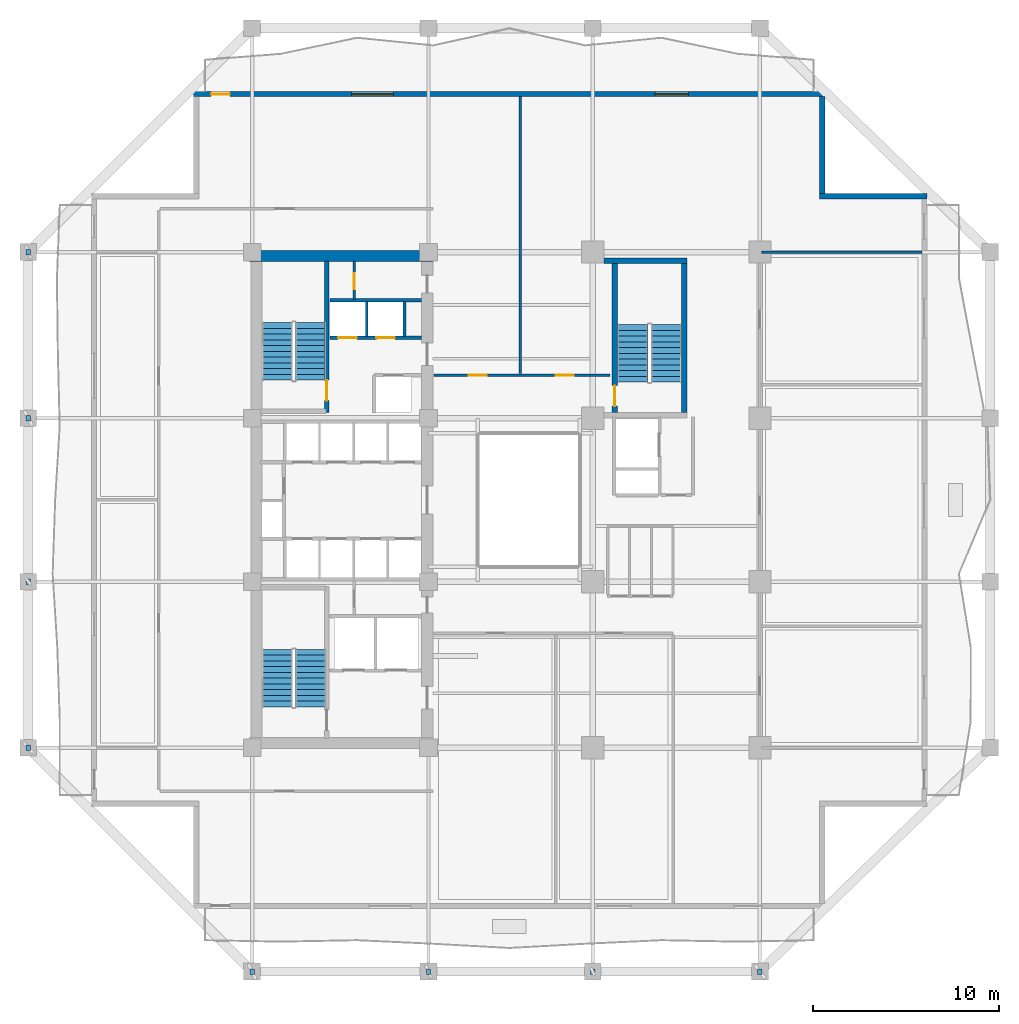
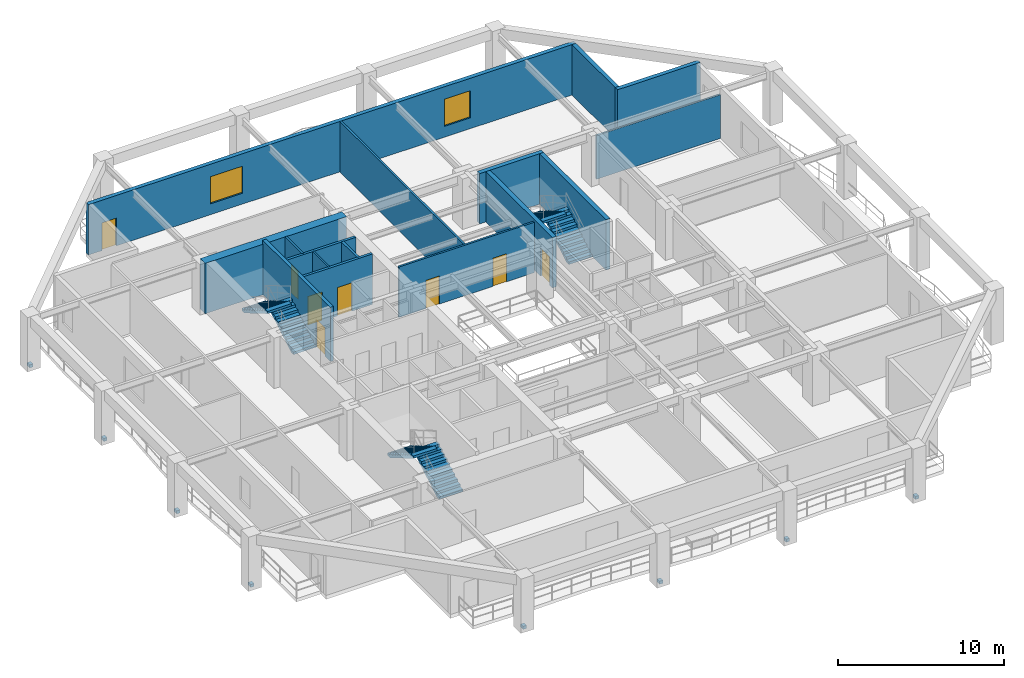
# One storey, part 5 of 12: 16 walls, 8 discrete accessories, 8 doors, 6 stair flights, 2 windows, 10 openings, 3 elements without a shape of their own.
"""IFC4 building model written with IfcOpenShell, lengths in metres."""

from ifc_helpers import new_model, si_unit, direction, frame, frame_2d, origin, origin_2d, place, context, subcontext, project, spatial, polyline, rectangle, outline, extrude, material, layer, layer_set, type_object, element, fill, aggregate, save


model = new_model("IFC4")

# Units and contexts
model_context = context("Model", 3, precision=1e-05, world=origin(), true_north=direction((0.0, 1.0)))
body_context = subcontext(model_context, "Body", "Model", "MODEL_VIEW")
ifc_project = project(units=[si_unit("LENGTHUNIT", "METRE"), si_unit("AREAUNIT", "SQUARE_METRE"), si_unit("VOLUMEUNIT", "CUBIC_METRE"), si_unit("PLANEANGLEUNIT", "RADIAN"), si_unit("MASSUNIT", "GRAM", prefix="KILO")], contexts=[model_context])

# Site, building, storey
site_placement = place(None, origin())
site = spatial("IfcSite", under=ifc_project, at=site_placement, CompositionType="ELEMENT")
building_placement = place(site_placement, origin())
building = spatial("IfcBuilding", under=site, at=building_placement, Name="Kundavana Baori Tower", CompositionType="ELEMENT")
storey_placement = place(building_placement, frame((0.0, 0.0, 38.0)))
storey = spatial("IfcBuildingStorey", under=building, at=storey_placement, Name="L08", CompositionType="ELEMENT", Elevation=38.0)

# Wall, opening, door
ifc_material_1 = material(Name="Concrete C50/60", Category="concrete")
ifc_layer_1 = layer(ifc_material_1, 0.39990234375, Name="WL-CORE-400")
ifc_layer_set_1 = layer_set([ifc_layer_1], Name="Concrete C50/60")
wall_type_1 = type_object("IfcWallType", Name="WL-CORE-400", PredefinedType="SHEAR", material=ifc_layer_set_1)
wall_1_placement = place(storey_placement, frame((19.4599609375, 33.300048828125, 0.0), z_axis=(0.0, 0.0, 1.0), x_axis=(0.0, 1.0, 0.0)))
wall_1 = element("IfcWall", 1, at=wall_1_placement, inside=storey, type_object=wall_type_1, Name="WL-L08-ST2-E", PredefinedType="SHEAR", context=body_context, shape_type="SweptSolid", body=[
    extrude(rectangle(XDim=8.179931640625, YDim=0.239990234375, at=frame_2d((4.08984375, 0.0))), origin(), (0.0, 0.0, 1.0), 4.0),
])
opening_1_placement = place(wall_1_placement, frame((0.64990234375, 0.0, 0.0)))
opening_1 = element("IfcOpeningElement", 2, at=opening_1_placement, cuts=wall_1, Name="Opening FD-110", PredefinedType="OPENING", context=body_context, shape_type="SweptSolid", body=[
    extrude(rectangle(XDim=1.10009765625, YDim=2.10009765625, at=frame_2d((0.550048828125, 1.050048828125))), frame((0.0, 0.1298828125, 0.0), z_axis=(0.0, -1.0, 0.0), x_axis=(1.0, 0.0, 0.0)), (0.0, 0.0, 1.0), 0.260009765625),
])
ifc_material_2 = material(Name="Galvanised Steel Fire-Rated Door Leaf", Category="steel")
door_type_1 = type_object("IfcDoorType", Name="DR-FD120-1100", OperationType="NOTDEFINED", PredefinedType="DOOR", material=ifc_material_2)
door_1_placement = place(opening_1_placement, origin())
door_1 = element("IfcDoor", 3, at=door_1_placement, inside=storey, type_object=door_type_1, Name="DR-L08-ST2", OperationType="SINGLE_SWING_RIGHT", OverallHeight=2.10009765625, OverallWidth=1.10009765625, PredefinedType="DOOR", context=body_context, shape_type="SweptSolid", body=[
    extrude(rectangle(XDim=1.10009765625, YDim=2.10009765625, at=frame_2d((0.550048828125, 1.050048828125))), frame((0.0, 0.02490234375, 0.0), z_axis=(0.0, -1.0, 0.0), x_axis=(1.0, 0.0, 0.0)), (0.0, 0.0, 1.0), 0.050048828125),
])
fill(opening_1, door_1)

# Walls
ifc_material_3 = material(Name="Concrete C60/75", Category="concrete")
ifc_layer_2 = layer(ifc_material_3, 0.60009765625, Name="WL-CORE-600")
ifc_layer_set_2 = layer_set([ifc_layer_2], Name="Concrete C60/75")
wall_type_2 = type_object("IfcWallType", Name="WL-CORE-600", PredefinedType="SHEAR", material=ifc_layer_set_2)
wall_2_placement = place(storey_placement, frame((15.300048828125, 41.739990234375, 0.0), z_axis=(0.0, 0.0, 1.0), x_axis=(1.0, 0.0, 0.0)))
element("IfcWall", 4, at=wall_2_placement, inside=storey, type_object=wall_type_2, Name="L08 Offset Core North Shear Wall", PredefinedType="SHEAR", context=body_context, shape_type="SweptSolid", body=[
    extrude(rectangle(XDim=9.8798828125, YDim=0.60009765625, at=frame_2d((4.93994140625, 0.0))), origin(), (0.0, 0.0, 1.0), 3.719970703125),
])
ifc_material_4 = material(Name="Red-Buff Dholpur Sandstone Cladding on Concrete C40/50", Category="masonry")
ifc_layer_3 = layer(ifc_material_4, 0.280029296875, Name="WL-EXT-SAND-280")
ifc_layer_set_3 = layer_set([ifc_layer_3], Name="Red-Buff Dholpur Sandstone Cladding on Concrete C40/50")
wall_type_3 = type_object("IfcWallType", Name="WL-EXT-SAND-280", PredefinedType="STANDARD", material=ifc_layer_set_3)
wall_3_placement = place(storey_placement, frame((51.800048828125, 44.9599609375, 0.0), z_axis=(0.0, 0.0, 1.0), x_axis=(-1.0, 0.0, 0.0)))
element("IfcWall", 5, at=wall_3_placement, inside=storey, type_object=wall_type_3, Name="L08 Exterior Insulated Facade Wall 05", PredefinedType="STANDARD", context=body_context, shape_type="SweptSolid", body=[
    extrude(rectangle(XDim=5.780029296875, YDim=0.280029296875, at=frame_2d((2.89013671875, 0.0))), origin(), (0.0, 0.0, 1.0), 3.719970703125),
])
wall_4_placement = place(storey_placement, frame((46.159912109375, 45.10009765625, 0.0), z_axis=(0.0, 0.0, 1.0), x_axis=(0.0, 1.0, 0.0)))
element("IfcWall", 6, at=wall_4_placement, inside=storey, type_object=wall_type_3, Name="L08 Exterior Insulated Facade Wall 06", PredefinedType="STANDARD", context=body_context, shape_type="SweptSolid", body=[
    extrude(rectangle(XDim=5.219970703125, YDim=0.280029296875, at=frame_2d((2.60986328125, 0.0))), origin(), (0.0, 0.0, 1.0), 3.719970703125),
])

# Wall, openings, door, windows
wall_5_placement = place(storey_placement, frame((46.300048828125, 50.4599609375, 0.0), z_axis=(0.0, 0.0, 1.0), x_axis=(-1.0, 0.0, 0.0)))
wall_5 = element("IfcWall", 7, at=wall_5_placement, inside=storey, type_object=wall_type_3, Name="L08 Exterior Insulated Facade Wall 07", PredefinedType="STANDARD", context=body_context, shape_type="SweptSolid", body=[
    extrude(rectangle(XDim=34.0, YDim=0.280029296875, at=frame_2d((17.0, 0.0))), origin(), (0.0, 0.0, 1.0), 3.719970703125),
])
opening_2_placement = place(wall_5_placement, frame((32.050048828125, 0.0, 0.0)))
opening_2 = element("IfcOpeningElement", 8, at=opening_2_placement, cuts=wall_5, Name="Opening BD-1", PredefinedType="OPENING", context=body_context, shape_type="SweptSolid", body=[
    extrude(rectangle(XDim=1.0, YDim=2.050048828125, at=frame_2d((0.5, 1.02490234375))), frame((0.0, 0.14990234375, 0.0), z_axis=(0.0, -1.0, 0.0), x_axis=(1.0, 0.0, 0.0)), (0.0, 0.0, 1.0), 0.300048828125),
])
opening_3_placement = place(wall_5_placement, frame((23.2451171875, 0.0, 0.800048828125)))
opening_3 = element("IfcOpeningElement", 9, at=opening_3_placement, cuts=wall_5, Name="Opening W-10", PredefinedType="OPENING", context=body_context, shape_type="SweptSolid", body=[
    extrude(rectangle(XDim=2.25, YDim=2.0, at=frame_2d((1.125, 1.0))), frame((0.0, 0.14990234375, 0.0), z_axis=(0.0, -1.0, 0.0), x_axis=(1.0, 0.0, 0.0)), (0.0, 0.0, 1.0), 0.300048828125),
])
opening_4_placement = place(wall_5_placement, frame((7.35498046875, 0.0, 0.800048828125)))
opening_4 = element("IfcOpeningElement", 10, at=opening_4_placement, cuts=wall_5, Name="Opening W-01", PredefinedType="OPENING", context=body_context, shape_type="SweptSolid", body=[
    extrude(rectangle(XDim=1.800048828125, YDim=2.0, at=frame_2d((0.89990234375, 1.0))), frame((0.0, 0.14990234375, 0.0), z_axis=(0.0, -1.0, 0.0), x_axis=(1.0, 0.0, 0.0)), (0.0, 0.0, 1.0), 0.300048828125),
])
ifc_material_5 = material(Name="Architectural Patinated Bronze Metalwork")
door_type_2 = type_object("IfcDoorType", Name="DR-EXT-LOG-1000", OperationType="NOTDEFINED", PredefinedType="DOOR", material=ifc_material_5)
door_2_placement = place(opening_2_placement, frame((1.0, 0.0, 0.0), z_axis=(0.0, 0.0, 1.0), x_axis=(-1.0, 0.0, 0.0)))
door_2 = element("IfcDoor", 11, at=door_2_placement, inside=storey, type_object=door_type_2, Name="L08 Loggia Balcony Access Door N", OperationType="SINGLE_SWING_LEFT", OverallHeight=2.050048828125, OverallWidth=1.0, PredefinedType="DOOR", context=body_context, shape_type="SweptSolid", body=[
    extrude(rectangle(XDim=1.0, YDim=2.050048828125, at=frame_2d((0.5, 1.02490234375))), frame((0.0, 0.02490234375, 0.0), z_axis=(0.0, -1.0, 0.0), x_axis=(1.0, 0.0, 0.0)), (0.0, 0.0, 1.0), 0.050048828125),
])
fill(opening_2, door_2)
ifc_material_6 = material(Name="Double-Glazed Solar-Control Low-E Insulated Glass", Category="glass")
window_type_1 = type_object("IfcWindowType", Name="WIN-LOG-1800x2000", PartitioningType="SINGLE_PANEL", PredefinedType="WINDOW", material=ifc_material_6)
window_1_placement = place(opening_4_placement, origin())
window_1 = element("IfcWindow", 12, at=window_1_placement, inside=storey, type_object=window_type_1, Name="L08 Recessed Loggia Window N-2", OverallHeight=2.0, OverallWidth=1.800048828125, PartitioningType="SINGLE_PANEL", PredefinedType="WINDOW", context=body_context, shape_type="SweptSolid", body=[
    extrude(rectangle(XDim=1.800048828125, YDim=2.0, at=frame_2d((0.89990234375, 1.0))), frame((0.0, 0.030029296875, 0.0), z_axis=(0.0, -1.0, 0.0), x_axis=(1.0, 0.0, 0.0)), (0.0, 0.0, 1.0), 0.06005859375),
])
fill(opening_4, window_1)
ifc_material_7 = material(Name="Double-Glazed Solar-Control Low-E Insulated Glass", Category="glass")
window_type_2 = type_object("IfcWindowType", Name="WIN-LOG-2250x2000", PartitioningType="SINGLE_PANEL", PredefinedType="WINDOW", material=ifc_material_7)
window_2_placement = place(opening_3_placement, origin())
window_2 = element("IfcWindow", 13, at=window_2_placement, inside=storey, type_object=window_type_2, Name="L08 Recessed Loggia Window N-1", OverallHeight=2.0, OverallWidth=2.25, PartitioningType="SINGLE_PANEL", PredefinedType="WINDOW", context=body_context, shape_type="SweptSolid", body=[
    extrude(rectangle(XDim=2.25, YDim=2.0, at=frame_2d((1.125, 1.0))), frame((0.0, 0.030029296875, 0.0), z_axis=(0.0, -1.0, 0.0), x_axis=(1.0, 0.0, 0.0)), (0.0, 0.0, 1.0), 0.06005859375),
])
fill(opening_3, window_2)

# Wall
ifc_material_8 = material(Name="Acoustic Gypsum Plasterboard on Galvanised Steel Studs", Category="steel")
ifc_layer_4 = layer(ifc_material_8, 0.1201171875, Name="WL-PART-120")
ifc_layer_set_4 = layer_set([ifc_layer_4], Name="Acoustic Gypsum Plasterboard on Galvanised Steel Studs")
wall_type_4 = type_object("IfcWallType", Name="WL-PART-120", PredefinedType="PARTITIONING", material=ifc_layer_set_4)
wall_6_placement = place(storey_placement, frame((21.6201171875, 37.39990234375, 0.0), z_axis=(0.0, 0.0, 1.0), x_axis=(0.0, 1.0, 0.0)))
element("IfcWall", 14, at=wall_6_placement, inside=storey, type_object=wall_type_4, Name="WL-L08-HR-DIV1", PredefinedType="PARTITIONING", context=body_context, shape_type="SweptSolid", body=[
    extrude(rectangle(XDim=1.900146484375, YDim=0.1201171875, at=frame_2d((0.9501953125, 0.0))), origin(), (0.0, 0.0, 1.0), 3.719970703125),
])

# Wall, opening, door
wall_7_placement = place(storey_placement, frame((20.949951171875, 39.39990234375, 0.0), z_axis=(0.0, 0.0, 1.0), x_axis=(0.0, 1.0, 0.0)))
wall_7 = element("IfcWall", 15, at=wall_7_placement, inside=storey, type_object=wall_type_4, Name="WL-L08-CSRV-D2", PredefinedType="PARTITIONING", context=body_context, shape_type="SweptSolid", body=[
    extrude(rectangle(XDim=2.080078125, YDim=0.1201171875, at=frame_2d((1.0400390625, 0.0))), origin(), (0.0, 0.0, 1.0), 3.719970703125),
])
opening_5_placement = place(wall_7_placement, frame((0.550048828125, 0.0, 0.0)))
opening_5 = element("IfcOpeningElement", 16, at=opening_5_placement, cuts=wall_7, Name="Opening FD-085", PredefinedType="OPENING", context=body_context, shape_type="SweptSolid", body=[
    extrude(rectangle(XDim=0.85009765625, YDim=2.06005859375, at=frame_2d((0.425048828125, 1.030029296875))), frame((0.0, 0.070068359375, 0.0), z_axis=(0.0, -1.0, 0.0), x_axis=(1.0, 0.0, 0.0)), (0.0, 0.0, 1.0), 0.14013671875),
])
ifc_material_9 = material(Name="Galvanised Steel Fire-Rated Door Leaf", Category="steel")
door_type_3 = type_object("IfcDoorType", Name="DR-FD60-850", OperationType="NOTDEFINED", PredefinedType="DOOR", material=ifc_material_9)
door_3_placement = place(opening_5_placement, origin())
door_3 = element("IfcDoor", 17, at=door_3_placement, inside=storey, type_object=door_type_3, Name="DR-L08-CSRV1", OperationType="SINGLE_SWING_RIGHT", OverallHeight=2.06005859375, OverallWidth=0.85009765625, PredefinedType="DOOR", context=body_context, shape_type="SweptSolid", body=[
    extrude(rectangle(XDim=0.85009765625, YDim=2.06005859375, at=frame_2d((0.425048828125, 1.030029296875))), frame((0.0, 0.02490234375, 0.0), z_axis=(0.0, -1.0, 0.0), x_axis=(1.0, 0.0, 0.0)), (0.0, 0.0, 1.0), 0.050048828125),
])
fill(opening_5, door_3)

# Wall, openings, doors
ifc_material_10 = material(Name="Acoustic Gypsum Plasterboard on Galvanised Steel Studs", Category="steel")
ifc_layer_5 = layer(ifc_material_10, 0.135009765625, Name="WL-PART-135")
ifc_layer_set_5 = layer_set([ifc_layer_5], Name="Acoustic Gypsum Plasterboard on Galvanised Steel Studs")
wall_type_5 = type_object("IfcWallType", Name="WL-PART-135", PredefinedType="PARTITIONING", material=ifc_layer_set_5)
wall_8_placement = place(storey_placement, frame((25.25, 35.320068359375, 0.0), z_axis=(0.0, 0.0, 1.0), x_axis=(1.0, 0.0, 0.0)))
wall_8 = element("IfcWall", 18, at=wall_8_placement, inside=storey, type_object=wall_type_5, Name="WL-L08-OFN", PredefinedType="PARTITIONING", context=body_context, shape_type="SweptSolid", body=[
    extrude(rectangle(XDim=9.469970703125, YDim=0.135009765625, at=frame_2d((4.73486328125, 0.0))), origin(), (0.0, 0.0, 1.0), 3.719970703125),
])
opening_6_placement = place(wall_8_placement, frame((1.875, 0.0, 0.0)))
opening_6 = element("IfcOpeningElement", 19, at=opening_6_placement, cuts=wall_8, Name="Opening ID-095", PredefinedType="OPENING", context=body_context, shape_type="SweptSolid", body=[
    extrude(rectangle(XDim=0.949951171875, YDim=2.080078125, at=frame_2d((0.47509765625, 1.0400390625))), frame((0.0, 0.07763671875, 0.0), z_axis=(0.0, -1.0, 0.0), x_axis=(1.0, 0.0, 0.0)), (0.0, 0.0, 1.0), 0.155029296875),
])
opening_7_placement = place(wall_8_placement, frame((6.56494140625, 0.0, 0.0)))
opening_7 = element("IfcOpeningElement", 20, at=opening_7_placement, cuts=wall_8, Name="Opening ID-095", PredefinedType="OPENING", context=body_context, shape_type="SweptSolid", body=[
    extrude(rectangle(XDim=0.949951171875, YDim=2.080078125, at=frame_2d((0.47509765625, 1.0400390625))), frame((0.0, 0.07763671875, 0.0), z_axis=(0.0, -1.0, 0.0), x_axis=(1.0, 0.0, 0.0)), (0.0, 0.0, 1.0), 0.155029296875),
])
ifc_material_11 = material(Name="Engineered Teak Solid-Core Timber Veneer", Category="wood")
door_type_4 = type_object("IfcDoorType", Name="DR-INT-950", OperationType="NOTDEFINED", PredefinedType="DOOR", material=ifc_material_11)
door_4_placement = place(opening_6_placement, origin())
door_4 = element("IfcDoor", 21, at=door_4_placement, inside=storey, type_object=door_type_4, Name="DR-L08-OFN1", OperationType="SINGLE_SWING_LEFT", OverallHeight=2.080078125, OverallWidth=0.949951171875, PredefinedType="DOOR", context=body_context, shape_type="SweptSolid", body=[
    extrude(rectangle(XDim=0.949951171875, YDim=2.080078125, at=frame_2d((0.47509765625, 1.0400390625))), frame((0.0, 0.02490234375, 0.0), z_axis=(0.0, -1.0, 0.0), x_axis=(1.0, 0.0, 0.0)), (0.0, 0.0, 1.0), 0.050048828125),
])
fill(opening_6, door_4)
door_5_placement = place(opening_7_placement, origin())
door_5 = element("IfcDoor", 22, at=door_5_placement, inside=storey, type_object=door_type_4, Name="DR-L08-OFN2", OperationType="SINGLE_SWING_LEFT", OverallHeight=2.080078125, OverallWidth=0.949951171875, PredefinedType="DOOR", context=body_context, shape_type="SweptSolid", body=[
    extrude(rectangle(XDim=0.949951171875, YDim=2.080078125, at=frame_2d((0.47509765625, 1.0400390625))), frame((0.0, 0.02490234375, 0.0), z_axis=(0.0, -1.0, 0.0), x_axis=(1.0, 0.0, 0.0)), (0.0, 0.0, 1.0), 0.050048828125),
])
fill(opening_7, door_5)

# Walls
wall_9_placement = place(storey_placement, frame((42.8798828125, 41.949951171875, 0.0), z_axis=(0.0, 0.0, 1.0), x_axis=(1.0, 0.0, 0.0)))
element("IfcWall", 23, at=wall_9_placement, inside=storey, type_object=wall_type_5, Name="WL-L08-OFEN", PredefinedType="PARTITIONING", context=body_context, shape_type="SweptSolid", body=[
    extrude(rectangle(XDim=8.64013671875, YDim=0.135009765625, at=frame_2d((4.320068359375, 0.0))), origin(), (0.0, 0.0, 1.0), 3.219970703125),
])
wall_10_placement = place(storey_placement, frame((29.89990234375, 35.39990234375, 0.0), z_axis=(0.0, 0.0, 1.0), x_axis=(0.0, 1.0, 0.0)))
element("IfcWall", 24, at=wall_10_placement, inside=storey, type_object=wall_type_5, Name="WL-L08-ND1", PredefinedType="PARTITIONING", context=body_context, shape_type="SweptSolid", body=[
    extrude(rectangle(XDim=14.920166015625, YDim=0.135009765625, at=frame_2d((7.4599609375, 0.0))), origin(), (0.0, 0.0, 1.0), 3.719970703125),
])

# Wall, openings, doors
ifc_material_12 = material(Name="Autoclaved Aerated Concrete Blockwork Masonry", Category="masonry")
ifc_layer_6 = layer(ifc_material_12, 0.179931640625, Name="WL-SHAFT-180")
ifc_layer_set_6 = layer_set([ifc_layer_6], Name="Autoclaved Aerated Concrete Blockwork Masonry")
wall_type_6 = type_object("IfcWallType", Name="WL-SHAFT-180", PredefinedType="SOLIDWALL", material=ifc_layer_set_6)
wall_11_placement = place(storey_placement, frame((19.639892578125, 37.340087890625, 0.0), z_axis=(0.0, 0.0, 1.0), x_axis=(1.0, 0.0, 0.0)))
wall_11 = element("IfcWall", 25, at=wall_11_placement, inside=storey, type_object=wall_type_6, Name="WL-L08-HRLOB-N", PredefinedType="SOLIDWALL", context=body_context, shape_type="SweptSolid", body=[
    extrude(rectangle(XDim=4.940185546875, YDim=0.179931640625, at=frame_2d((2.47021484375, 0.0))), origin(), (0.0, 0.0, 1.0), 3.719970703125),
])
opening_8_placement = place(wall_11_placement, frame((0.449951171875, 0.0, 0.0)))
opening_8 = element("IfcOpeningElement", 26, at=opening_8_placement, cuts=wall_11, Name="Opening LD-100", PredefinedType="OPENING", context=body_context, shape_type="SweptSolid", body=[
    extrude(rectangle(XDim=1.0, YDim=2.10009765625, at=frame_2d((0.5, 1.050048828125))), frame((0.0, 0.10009765625, 0.0), z_axis=(0.0, -1.0, 0.0), x_axis=(1.0, 0.0, 0.0)), (0.0, 0.0, 1.0), 0.199951171875),
])
opening_9_placement = place(wall_11_placement, frame((2.5, 0.0, 0.0)))
opening_9 = element("IfcOpeningElement", 27, at=opening_9_placement, cuts=wall_11, Name="Opening LD-100", PredefinedType="OPENING", context=body_context, shape_type="SweptSolid", body=[
    extrude(rectangle(XDim=1.0, YDim=2.10009765625, at=frame_2d((0.5, 1.050048828125))), frame((0.0, 0.10009765625, 0.0), z_axis=(0.0, -1.0, 0.0), x_axis=(1.0, 0.0, 0.0)), (0.0, 0.0, 1.0), 0.199951171875),
])
ifc_material_13 = material(Name="Galvanised Steel Fire-Rated Door Leaf", Category="steel")
door_type_5 = type_object("IfcDoorType", Name="DR-SLIDE-LD1000", OperationType="NOTDEFINED", PredefinedType="DOOR", material=ifc_material_13)
door_6_placement = place(opening_8_placement, frame((1.0, 0.0, 0.0), z_axis=(0.0, 0.0, 1.0), x_axis=(-1.0, 0.0, 0.0)))
door_6 = element("IfcDoor", 28, at=door_6_placement, inside=storey, type_object=door_type_5, Name="DR-L08-LD-LP09", OperationType="DOUBLE_DOOR_SLIDING", OverallHeight=2.10009765625, OverallWidth=1.0, PredefinedType="DOOR", context=body_context, shape_type="SweptSolid", body=[
    extrude(rectangle(XDim=1.0, YDim=2.10009765625, at=frame_2d((0.5, 1.050048828125))), frame((0.0, 0.02490234375, 0.0), z_axis=(0.0, -1.0, 0.0), x_axis=(1.0, 0.0, 0.0)), (0.0, 0.0, 1.0), 0.050048828125),
])
fill(opening_8, door_6)
door_7_placement = place(opening_9_placement, frame((1.0, 0.0, 0.0), z_axis=(0.0, 0.0, 1.0), x_axis=(-1.0, 0.0, 0.0)))
door_7 = element("IfcDoor", 29, at=door_7_placement, inside=storey, type_object=door_type_5, Name="DR-L08-LD-LP10", OperationType="DOUBLE_DOOR_SLIDING", OverallHeight=2.10009765625, OverallWidth=1.0, PredefinedType="DOOR", context=body_context, shape_type="SweptSolid", body=[
    extrude(rectangle(XDim=1.0, YDim=2.10009765625, at=frame_2d((0.5, 1.050048828125))), frame((0.0, 0.02490234375, 0.0), z_axis=(0.0, -1.0, 0.0), x_axis=(1.0, 0.0, 0.0)), (0.0, 0.0, 1.0), 0.050048828125),
])
fill(opening_9, door_7)

# Walls
wall_12_placement = place(storey_placement, frame((19.639892578125, 39.360107421875, 0.0), z_axis=(0.0, 0.0, 1.0), x_axis=(1.0, 0.0, 0.0)))
element("IfcWall", 30, at=wall_12_placement, inside=storey, type_object=wall_type_6, Name="WL-L08-HRLOB-TOP", PredefinedType="SOLIDWALL", context=body_context, shape_type="SweptSolid", body=[
    extrude(rectangle(XDim=4.940185546875, YDim=0.179931640625, at=frame_2d((2.47021484375, 0.0))), origin(), (0.0, 0.0, 1.0), 3.719970703125),
])
wall_13_placement = place(storey_placement, frame((23.659912109375, 37.39990234375, 0.0), z_axis=(0.0, 0.0, 1.0), x_axis=(0.0, 1.0, 0.0)))
element("IfcWall", 31, at=wall_13_placement, inside=storey, type_object=wall_type_6, Name="WL-L08-HR-DIV2", PredefinedType="SOLIDWALL", context=body_context, shape_type="SweptSolid", body=[
    extrude(rectangle(XDim=1.900146484375, YDim=0.179931640625, at=frame_2d((0.9501953125, 0.0))), origin(), (0.0, 0.0, 1.0), 3.719970703125),
])
ifc_material_14 = material(Name="Concrete C50/60", Category="concrete")
ifc_layer_7 = layer(ifc_material_14, 0.300048828125, Name="WL-ST3-300")
ifc_layer_set_7 = layer_set([ifc_layer_7], Name="Concrete C50/60")
wall_type_7 = type_object("IfcWallType", Name="WL-ST3-300", PredefinedType="SHEAR", material=ifc_layer_set_7)
wall_14_placement = place(storey_placement, frame((34.39990234375, 41.489990234375, 0.0), z_axis=(0.0, 0.0, 1.0), x_axis=(1.0, 0.0, 0.0)))
element("IfcWall", 32, at=wall_14_placement, inside=storey, type_object=wall_type_7, Name="L08 Stair ST3 North Shear Wall", PredefinedType="SHEAR", context=body_context, shape_type="SweptSolid", body=[
    extrude(rectangle(XDim=4.47021484375, YDim=0.300048828125, at=frame_2d((2.235107421875, 0.0))), origin(), (0.0, 0.0, 1.0), 3.719970703125),
])

# Wall, opening, door
wall_15_placement = place(storey_placement, frame((34.97998046875, 33.31005859375, 0.0), z_axis=(0.0, 0.0, 1.0), x_axis=(0.0, 1.0, 0.0)))
wall_15 = element("IfcWall", 33, at=wall_15_placement, inside=storey, type_object=wall_type_7, Name="L08 Stair ST3 West Shear Wall", PredefinedType="SHEAR", context=body_context, shape_type="SweptSolid", body=[
    extrude(rectangle(XDim=8.030029296875, YDim=0.300048828125, at=frame_2d((4.01513671875, 0.0))), origin(), (0.0, 0.0, 1.0), 3.719970703125),
])
opening_10_placement = place(wall_15_placement, frame((0.35009765625, 0.0, 0.0)))
opening_10 = element("IfcOpeningElement", 34, at=opening_10_placement, cuts=wall_15, Name="Opening FD-110", PredefinedType="OPENING", context=body_context, shape_type="SweptSolid", body=[
    extrude(rectangle(XDim=1.10009765625, YDim=2.10009765625, at=frame_2d((0.550048828125, 1.050048828125))), frame((0.0, 0.16015625, 0.0), z_axis=(0.0, -1.0, 0.0), x_axis=(1.0, 0.0, 0.0)), (0.0, 0.0, 1.0), 0.320068359375),
])
door_8_placement = place(opening_10_placement, origin())
door_8 = element("IfcDoor", 35, at=door_8_placement, inside=storey, type_object=door_type_1, Name="DR-L08-ST3-W", OperationType="SINGLE_SWING_LEFT", OverallHeight=2.10009765625, OverallWidth=1.10009765625, PredefinedType="DOOR", context=body_context, shape_type="SweptSolid", body=[
    extrude(rectangle(XDim=1.10009765625, YDim=2.10009765625, at=frame_2d((0.550048828125, 1.050048828125))), frame((0.0, 0.02490234375, 0.0), z_axis=(0.0, -1.0, 0.0), x_axis=(1.0, 0.0, 0.0)), (0.0, 0.0, 1.0), 0.050048828125),
])
fill(opening_10, door_8)

# Wall
wall_16_placement = place(storey_placement, frame((38.719970703125, 33.31005859375, 0.0), z_axis=(0.0, 0.0, 1.0), x_axis=(0.0, 1.0, 0.0)))
element("IfcWall", 36, at=wall_16_placement, inside=storey, type_object=wall_type_7, Name="L08 Stair ST3 East Shear Wall", PredefinedType="SHEAR", context=body_context, shape_type="SweptSolid", body=[
    extrude(rectangle(XDim=8.030029296875, YDim=0.300048828125, at=frame_2d((4.01513671875, 0.0))), origin(), (0.0, 0.0, 1.0), 3.719970703125),
])

# Stair, stair flights
ifc_material_15 = material(Name="Concrete C40/50", Category="concrete")
stair_type = type_object("IfcStairType", Name="STR-DOG-1650", PredefinedType="HALF_TURN_STAIR", material=ifc_material_15)
stair_1_placement = place(storey_placement, origin())
stair_1 = element("IfcStair", 37, at=stair_1_placement, inside=storey, type_object=stair_type, Name="L08 Protected Exit Stair ST1", PredefinedType="HALF_TURN_STAIR")
ifc_material_16 = material(Name="Concrete C40/50", Category="concrete")
stair_flight_type = type_object("IfcStairFlightType", Name="SFL-RC-1650", PredefinedType="STRAIGHT", material=ifc_material_16)
stair_flight_1_placement = place(storey_placement, frame((18.614990234375, 17.449951171875, 0.0), z_axis=(0.0, 0.0, 1.0), x_axis=(0.0, 1.0, 0.0)))
stair_flight_1 = element("IfcStairFlight", 38, at=stair_flight_1_placement, type_object=stair_flight_type, Name="ST1 flight 1", NumberOfRisers=11, NumberOfTreads=10, PredefinedType="STRAIGHT", RiserHeight=0.181818182, TreadLength=0.31, context=body_context, shape_type="SweptSolid", body=[
    extrude(outline(polyline([(0.0, 0.0), (0.0, 0.181884765625), (0.31005859375, 0.181884765625), (0.31005859375, 0.363525390625), (0.6201171875, 0.363525390625), (0.6201171875, 0.54541015625), (0.929931640625, 0.54541015625), (0.929931640625, 0.727294921875), (1.239990234375, 0.727294921875), (1.239990234375, 0.9091796875), (1.550048828125, 0.9091796875), (1.550048828125, 1.0908203125), (1.860107421875, 1.0908203125), (1.860107421875, 1.272705078125), (2.169921875, 1.272705078125), (2.169921875, 1.45458984375), (2.47998046875, 1.45458984375), (2.47998046875, 1.636474609375), (2.7900390625, 1.636474609375), (2.7900390625, 1.818115234375), (3.10009765625, 1.818115234375), (3.10009765625, 2.0), (3.10009765625, 1.644287109375), (0.29638671875, 0.0), (0.0, 0.0)])), frame((0.0, 0.824951171875, 0.0), z_axis=(0.0, -1.0, 0.0), x_axis=(1.0, 0.0, 0.0)), (0.0, 0.0, 1.0), 1.64990234375),
])
stair_flight_2_placement = place(storey_placement, frame((16.804931640625, 20.550048828125, 2.0), z_axis=(0.0, 0.0, 1.0), x_axis=(0.0, -1.0, 0.0)))
stair_flight_2 = element("IfcStairFlight", 39, at=stair_flight_2_placement, type_object=stair_flight_type, Name="ST1 flight 2", NumberOfRisers=11, NumberOfTreads=10, PredefinedType="STRAIGHT", RiserHeight=0.181818182, TreadLength=0.31, context=body_context, shape_type="SweptSolid", body=[
    extrude(outline(polyline([(0.0, 0.0), (0.0, 0.181884765625), (0.31005859375, 0.181884765625), (0.31005859375, 0.363525390625), (0.6201171875, 0.363525390625), (0.6201171875, 0.54541015625), (0.929931640625, 0.54541015625), (0.929931640625, 0.727294921875), (1.239990234375, 0.727294921875), (1.239990234375, 0.9091796875), (1.550048828125, 0.9091796875), (1.550048828125, 1.0908203125), (1.860107421875, 1.0908203125), (1.860107421875, 1.272705078125), (2.169921875, 1.272705078125), (2.169921875, 1.45458984375), (2.47998046875, 1.45458984375), (2.47998046875, 1.636474609375), (2.7900390625, 1.636474609375), (2.7900390625, 1.818115234375), (3.10009765625, 1.818115234375), (3.10009765625, 2.0), (3.10009765625, 1.644287109375), (0.29638671875, 0.0), (0.0, 0.0)])), frame((0.0, 0.824951171875, 0.0), z_axis=(0.0, -1.0, 0.0), x_axis=(1.0, 0.0, 0.0)), (0.0, 0.0, 1.0), 1.64990234375),
])
aggregate(stair_1, [stair_flight_1, stair_flight_2])

stair_2_placement = place(storey_placement, origin())
stair_2 = element("IfcStair", 40, at=stair_2_placement, inside=storey, type_object=stair_type, Name="L08 Protected Exit Stair ST2", PredefinedType="HALF_TURN_STAIR")
stair_flight_3_placement = place(storey_placement, frame((18.614990234375, 35.050048828125, 0.0), z_axis=(0.0, 0.0, 1.0), x_axis=(0.0, 1.0, 0.0)))
stair_flight_3 = element("IfcStairFlight", 41, at=stair_flight_3_placement, type_object=stair_flight_type, Name="ST2 flight 1", NumberOfRisers=11, NumberOfTreads=10, PredefinedType="STRAIGHT", RiserHeight=0.181818182, TreadLength=0.31, context=body_context, shape_type="SweptSolid", body=[
    extrude(outline(polyline([(0.0, 0.0), (0.0, 0.181884765625), (0.31005859375, 0.181884765625), (0.31005859375, 0.363525390625), (0.6201171875, 0.363525390625), (0.6201171875, 0.54541015625), (0.929931640625, 0.54541015625), (0.929931640625, 0.727294921875), (1.239990234375, 0.727294921875), (1.239990234375, 0.9091796875), (1.550048828125, 0.9091796875), (1.550048828125, 1.0908203125), (1.860107421875, 1.0908203125), (1.860107421875, 1.272705078125), (2.169921875, 1.272705078125), (2.169921875, 1.45458984375), (2.47998046875, 1.45458984375), (2.47998046875, 1.636474609375), (2.7900390625, 1.636474609375), (2.7900390625, 1.818115234375), (3.10009765625, 1.818115234375), (3.10009765625, 2.0), (3.10009765625, 1.644287109375), (0.29638671875, 0.0), (0.0, 0.0)])), frame((0.0, 0.824951171875, 0.0), z_axis=(0.0, -1.0, 0.0), x_axis=(1.0, 0.0, 0.0)), (0.0, 0.0, 1.0), 1.64990234375),
])
stair_flight_4_placement = place(storey_placement, frame((16.804931640625, 38.14990234375, 2.0), z_axis=(0.0, 0.0, 1.0), x_axis=(0.0, -1.0, 0.0)))
stair_flight_4 = element("IfcStairFlight", 42, at=stair_flight_4_placement, type_object=stair_flight_type, Name="ST2 flight 2", NumberOfRisers=11, NumberOfTreads=10, PredefinedType="STRAIGHT", RiserHeight=0.181818182, TreadLength=0.31, context=body_context, shape_type="SweptSolid", body=[
    extrude(outline(polyline([(0.0, 0.0), (0.0, 0.181884765625), (0.31005859375, 0.181884765625), (0.31005859375, 0.363525390625), (0.6201171875, 0.363525390625), (0.6201171875, 0.54541015625), (0.929931640625, 0.54541015625), (0.929931640625, 0.727294921875), (1.239990234375, 0.727294921875), (1.239990234375, 0.9091796875), (1.550048828125, 0.9091796875), (1.550048828125, 1.0908203125), (1.860107421875, 1.0908203125), (1.860107421875, 1.272705078125), (2.169921875, 1.272705078125), (2.169921875, 1.45458984375), (2.47998046875, 1.45458984375), (2.47998046875, 1.636474609375), (2.7900390625, 1.636474609375), (2.7900390625, 1.818115234375), (3.10009765625, 1.818115234375), (3.10009765625, 2.0), (3.10009765625, 1.644287109375), (0.29638671875, 0.0), (0.0, 0.0)])), frame((0.0, 0.824951171875, 0.0), z_axis=(0.0, -1.0, 0.0), x_axis=(1.0, 0.0, 0.0)), (0.0, 0.0, 1.0), 1.64990234375),
])
aggregate(stair_2, [stair_flight_3, stair_flight_4])

stair_3_placement = place(storey_placement, origin())
stair_3 = element("IfcStair", 43, at=stair_3_placement, inside=storey, type_object=stair_type, Name="L08 Protected Exit Stair ST3", PredefinedType="HALF_TURN_STAIR")
stair_flight_5_placement = place(storey_placement, frame((37.7548828125, 34.949951171875, 0.0), z_axis=(0.0, 0.0, 1.0), x_axis=(0.0, 1.0, 0.0)))
stair_flight_5 = element("IfcStairFlight", 44, at=stair_flight_5_placement, type_object=stair_flight_type, Name="ST3 flight 1", NumberOfRisers=11, NumberOfTreads=10, PredefinedType="STRAIGHT", RiserHeight=0.181818182, TreadLength=0.31, context=body_context, shape_type="SweptSolid", body=[
    extrude(outline(polyline([(0.0, 0.0), (0.0, 0.181884765625), (0.31005859375, 0.181884765625), (0.31005859375, 0.363525390625), (0.6201171875, 0.363525390625), (0.6201171875, 0.54541015625), (0.929931640625, 0.54541015625), (0.929931640625, 0.727294921875), (1.239990234375, 0.727294921875), (1.239990234375, 0.9091796875), (1.550048828125, 0.9091796875), (1.550048828125, 1.0908203125), (1.860107421875, 1.0908203125), (1.860107421875, 1.272705078125), (2.169921875, 1.272705078125), (2.169921875, 1.45458984375), (2.47998046875, 1.45458984375), (2.47998046875, 1.636474609375), (2.7900390625, 1.636474609375), (2.7900390625, 1.818115234375), (3.10009765625, 1.818115234375), (3.10009765625, 2.0), (3.10009765625, 1.644287109375), (0.29638671875, 0.0), (0.0, 0.0)])), frame((0.0, 0.824951171875, 0.0), z_axis=(0.0, -1.0, 0.0), x_axis=(1.0, 0.0, 0.0)), (0.0, 0.0, 1.0), 1.64990234375),
])
stair_flight_6_placement = place(storey_placement, frame((35.945068359375, 38.050048828125, 2.0), z_axis=(0.0, 0.0, 1.0), x_axis=(0.0, -1.0, 0.0)))
stair_flight_6 = element("IfcStairFlight", 45, at=stair_flight_6_placement, type_object=stair_flight_type, Name="ST3 flight 2", NumberOfRisers=11, NumberOfTreads=10, PredefinedType="STRAIGHT", RiserHeight=0.181818182, TreadLength=0.31, context=body_context, shape_type="SweptSolid", body=[
    extrude(outline(polyline([(0.0, 0.0), (0.0, 0.181884765625), (0.31005859375, 0.181884765625), (0.31005859375, 0.363525390625), (0.6201171875, 0.363525390625), (0.6201171875, 0.54541015625), (0.929931640625, 0.54541015625), (0.929931640625, 0.727294921875), (1.239990234375, 0.727294921875), (1.239990234375, 0.9091796875), (1.550048828125, 0.9091796875), (1.550048828125, 1.0908203125), (1.860107421875, 1.0908203125), (1.860107421875, 1.272705078125), (2.169921875, 1.272705078125), (2.169921875, 1.45458984375), (2.47998046875, 1.45458984375), (2.47998046875, 1.636474609375), (2.7900390625, 1.636474609375), (2.7900390625, 1.818115234375), (3.10009765625, 1.818115234375), (3.10009765625, 2.0), (3.10009765625, 1.644287109375), (0.29638671875, 0.0), (0.0, 0.0)])), frame((0.0, 0.824951171875, 0.0), z_axis=(0.0, -1.0, 0.0), x_axis=(1.0, 0.0, 0.0)), (0.0, 0.0, 1.0), 1.64990234375),
])
aggregate(stair_3, [stair_flight_5, stair_flight_6])

# Discrete accessories
ifc_material_17 = material(Name="Structural Steel S355JR", Category="steel")
discrete_accessory_type = type_object("IfcDiscreteAccessoryType", Name="ACC-BRK-FIN", PredefinedType="BRACKET", material=ifc_material_17)
for number, where, z_axis, x_axis, name in (
    (46, (15.449951171875, 3.199951171875, 0.0), (0.0, 0.0, 1.0), (1.0, 0.0, 0.0), "L08 Stainless Fin Anchor Bracket 1"),
    (47, (24.949951171875, 3.199951171875, 0.0), (0.0, 0.0, 1.0), (1.0, 0.0, 0.0), "L08 Stainless Fin Anchor Bracket 2"),
    (48, (33.800048828125, 3.199951171875, 0.0), (0.0, 0.0, 1.0), (1.0, 0.0, 0.0), "L08 Stainless Fin Anchor Bracket 3"),
    (49, (42.800048828125, 3.199951171875, 0.0), (0.0, 0.0, 1.0), (1.0, 0.0, 0.0), "L08 Stainless Fin Anchor Bracket 4"),
    (50, (3.39990234375, 15.25, 0.0), (0.0, 0.0, 1.0), (1.0, 0.0, 0.0), "L08 Stainless Fin Anchor Bracket 5"),
    (51, (3.39990234375, 24.199951171875, 0.0), (0.0, 0.0, 1.0), (1.0, 0.0, 0.0), "L08 Stainless Fin Anchor Bracket 6"),
    (52, (3.39990234375, 33.0, 0.0), (0.0, 0.0, 1.0), (1.0, 0.0, 0.0), "L08 Stainless Fin Anchor Bracket 7"),
    (53, (3.39990234375, 41.949951171875, 0.0), (0.0, 0.0, 1.0), (1.0, 0.0, 0.0), "L08 Stainless Fin Anchor Bracket 8"),
):
    element("IfcDiscreteAccessory", number, at=place(storey_placement, frame(where, z_axis=z_axis, x_axis=x_axis)), inside=storey, type_object=discrete_accessory_type, Name=name, PredefinedType="BRACKET", context=body_context, shape_type="SweptSolid", body=[
        extrude(rectangle(XDim=0.239990234375, YDim=0.300048828125, at=origin_2d()), origin(), (0.0, 0.0, 1.0), 0.219970703125),
    ])

save(model, "model.ifc")
